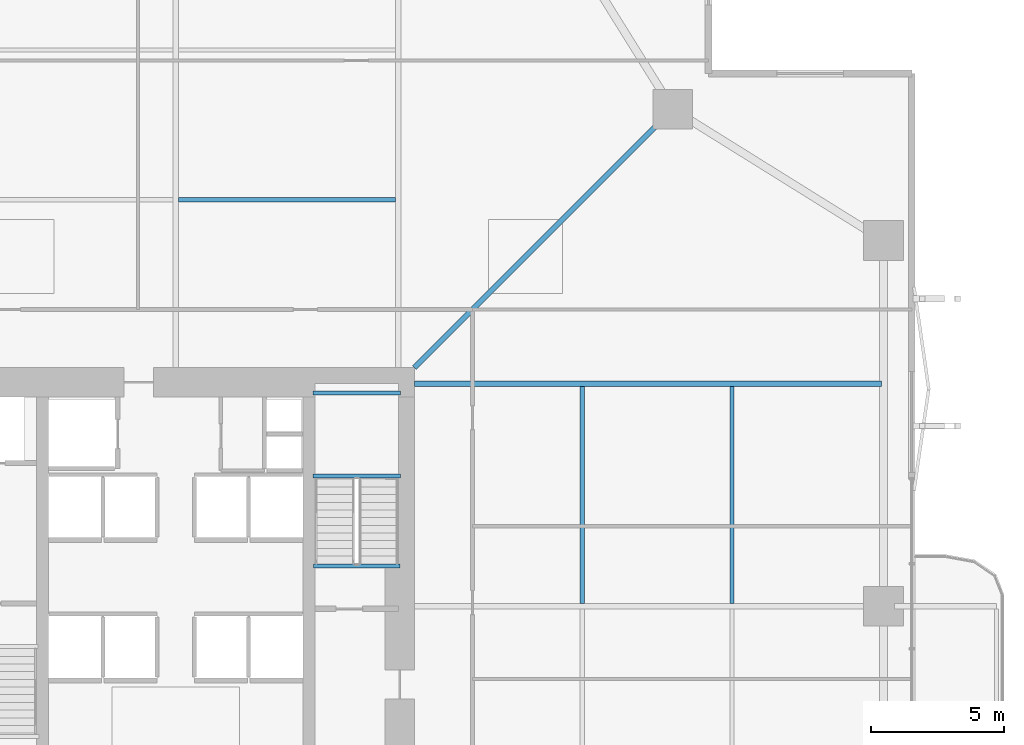
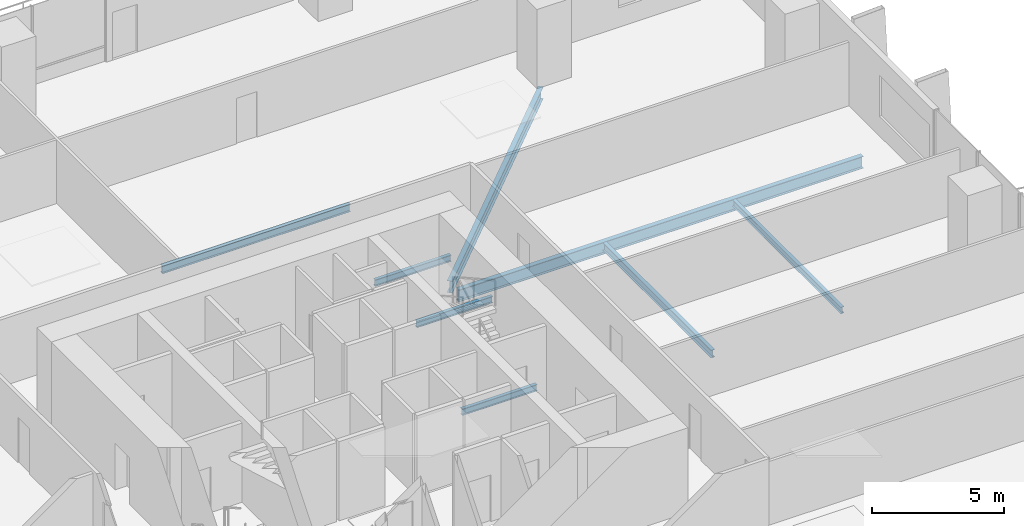
# One storey, part 12 of 23: 8 beams.
"""IFC4 building model written with IfcOpenShell, lengths in metres."""

from ifc_helpers import new_model, si_unit, direction, frame, origin, origin_2d, place, context, subcontext, project, spatial, i_section, extrude, material, material_profile, profile_set, type_object, element, save


model = new_model("IFC4")

# Units and contexts
model_context = context("Model", 3, precision=1e-05, world=origin(), true_north=direction((0.0, 1.0)))
body_context = subcontext(model_context, "Body", "Model", "MODEL_VIEW")
ifc_project = project(units=[si_unit("LENGTHUNIT", "METRE"), si_unit("AREAUNIT", "SQUARE_METRE"), si_unit("VOLUMEUNIT", "CUBIC_METRE"), si_unit("PLANEANGLEUNIT", "RADIAN"), si_unit("MASSUNIT", "GRAM", prefix="KILO")], contexts=[model_context])

# Site, building, storey
site_placement = place(None, origin())
site = spatial("IfcSite", under=ifc_project, at=site_placement, CompositionType="ELEMENT")
building_placement = place(site_placement, origin())
building = spatial("IfcBuilding", under=site, at=building_placement, Name="Belovzor Exchange Tower", CompositionType="ELEMENT")
storey_placement = place(building_placement, frame((0.0, 0.0, 76.800048828125)))
storey = spatial("IfcBuildingStorey", under=building, at=storey_placement, Name="L18", CompositionType="ELEMENT", Elevation=76.800048828125)

# Beams
ifc_material_1 = material(Name="Steel S355", Category="steel")
ifc_material_profile_1 = material_profile(ifc_material_1, i_section(OverallWidth=0.169921875, OverallDepth=0.360107421875, WebThickness=0.008056640625, FlangeThickness=0.0126953125, at=origin_2d()))
ifc_profile_set_1 = profile_set([ifc_material_profile_1], Name="Steel S355")
beam_type_1 = type_object("IfcBeamType", Name="Secondary Infill Floor Joist IPE 360", PredefinedType="BEAM", material=ifc_profile_set_1)
for number, where, z_axis, x_axis, name in (
    (1, (28.905029296875, 44.14501953125, -0.429931640625), (1.0, 0.0, 0.0), (0.0, 1.0, 0.0), "FJ-360 Secondary Infill Floor Joist IPE 360"),
    (2, (44.14501953125, 28.905029296875, -0.429931640625), (0.0, 1.0, 0.0), (-1.0, 0.0, 0.0), "FJ-360 Secondary Infill Floor Joist IPE 360"),
):
    element("IfcBeam", number, at=place(storey_placement, frame(where, z_axis=z_axis, x_axis=x_axis)), inside=storey, type_object=beam_type_1, Name=name, PredefinedType="BEAM", context=body_context, shape_type="SweptSolid", body=[
        extrude(i_section(OverallWidth=0.169921875, OverallDepth=0.360107421875, WebThickness=0.008056640625, FlangeThickness=0.0126953125, at=origin_2d()), origin(), (0.0, 0.0, 1.0), 8.18994140625),
    ])
ifc_material_2 = material(Name="Steel S355", Category="steel")
ifc_material_profile_2 = material_profile(ifc_material_2, i_section(OverallWidth=0.14990234375, OverallDepth=0.300048828125, WebThickness=0.007080078125, FlangeThickness=0.0107421875, at=origin_2d()))
ifc_profile_set_2 = profile_set([ifc_material_profile_2], Name="Steel S355")
beam_type_2 = type_object("IfcBeamType", Name="Secondary Trim Floor Joist IPE 300", PredefinedType="BEAM", material=ifc_profile_set_2)
for number, where, z_axis, x_axis, name in (
    (3, (37.280029296875, 33.7099609375, 1.599853515625), (-1.0, 0.0, 0.0), (0.0, -1.0, 0.0), "FJ-300 Secondary Trim Floor Joist IPE 300"),
    (4, (37.280029296875, 36.85009765625, 1.599853515625), (-1.0, 0.0, 0.0), (0.0, -1.0, 0.0), "FJ-300 Secondary Trim Floor Joist IPE 300"),
):
    element("IfcBeam", number, at=place(storey_placement, frame(where, z_axis=z_axis, x_axis=x_axis)), inside=storey, type_object=beam_type_2, Name=name, PredefinedType="BEAM", context=body_context, shape_type="SweptSolid", body=[
        extrude(i_section(OverallWidth=0.14990234375, OverallDepth=0.300048828125, WebThickness=0.007080078125, FlangeThickness=0.0107421875, at=origin_2d()), origin(), (0.0, 0.0, 1.0), 3.31005859375),
    ])
beam_1_placement = place(storey_placement, frame((37.260009765625, 30.320068359375, -0.400146484375), z_axis=(-1.0, 0.0, 0.0), x_axis=(0.0, -1.0, 0.0)))
element("IfcBeam", 5, at=beam_1_placement, inside=storey, type_object=beam_type_2, Name="FJ-300 Secondary Trim Floor Joist IPE 300", PredefinedType="BEAM", context=body_context, shape_type="SweptSolid", body=[
    extrude(i_section(OverallWidth=0.14990234375, OverallDepth=0.300048828125, WebThickness=0.007080078125, FlangeThickness=0.0107421875, at=origin_2d()), origin(), (0.0, 0.0, 1.0), 3.27001953125),
])
beam_2_placement = place(storey_placement, frame((49.784912109375, 28.905029296875, -0.400146484375), z_axis=(0.0, 1.0, 0.0), x_axis=(-1.0, 0.0, 0.0)))
element("IfcBeam", 6, at=beam_2_placement, inside=storey, type_object=beam_type_2, Name="FJ-300 Secondary Trim Floor Joist IPE 300", PredefinedType="BEAM", context=body_context, shape_type="SweptSolid", body=[
    extrude(i_section(OverallWidth=0.14990234375, OverallDepth=0.300048828125, WebThickness=0.007080078125, FlangeThickness=0.0107421875, at=origin_2d()), origin(), (0.0, 0.0, 1.0), 8.18994140625),
])
ifc_material_3 = material(Name="Steel S355", Category="steel")
ifc_material_profile_3 = material_profile(ifc_material_3, i_section(OverallWidth=0.2099609375, OverallDepth=0.550048828125, WebThickness=0.010986328125, FlangeThickness=0.01708984375, at=origin_2d()))
ifc_profile_set_3 = profile_set([ifc_material_profile_3], Name="Steel S355")
beam_type_3 = type_object("IfcBeamType", Name="Zone 1 Radial Composite Floor Beam IPE 550", PredefinedType="BEAM", material=ifc_profile_set_3)
beam_3_placement = place(storey_placement, frame((37.800048828125, 37.199951171875, -0.525146484375), z_axis=(1.0, 0.0, 0.0), x_axis=(0.0, 1.0, 0.0)))
element("IfcBeam", 7, at=beam_3_placement, inside=storey, type_object=beam_type_3, Name="FB-550 Zone 1 Radial Composite Floor Beam IPE 550", PredefinedType="BEAM", context=body_context, shape_type="SweptSolid", body=[
    extrude(i_section(OverallWidth=0.2099609375, OverallDepth=0.550048828125, WebThickness=0.010986328125, FlangeThickness=0.01708984375, at=origin_2d()), origin(), (0.0, 0.0, 1.0), 17.625),
])
beam_4_placement = place(storey_placement, frame((37.800048828125, 37.800048828125, -0.525146484375), z_axis=(0.707106781187, 0.707106781187, 0.0), x_axis=(-0.707106781187, 0.707106781187, 0.0)))
element("IfcBeam", 8, at=beam_4_placement, inside=storey, type_object=beam_type_3, Name="FB-550 Zone 1 Radial Composite Floor Beam IPE 550", PredefinedType="BEAM", context=body_context, shape_type="SweptSolid", body=[
    extrude(i_section(OverallWidth=0.2099609375, OverallDepth=0.550048828125, WebThickness=0.010986328125, FlangeThickness=0.01708984375, at=origin_2d()), origin(), (0.0, 0.0, 1.0), 13.25830078125),
])

save(model, "model.ifc")
